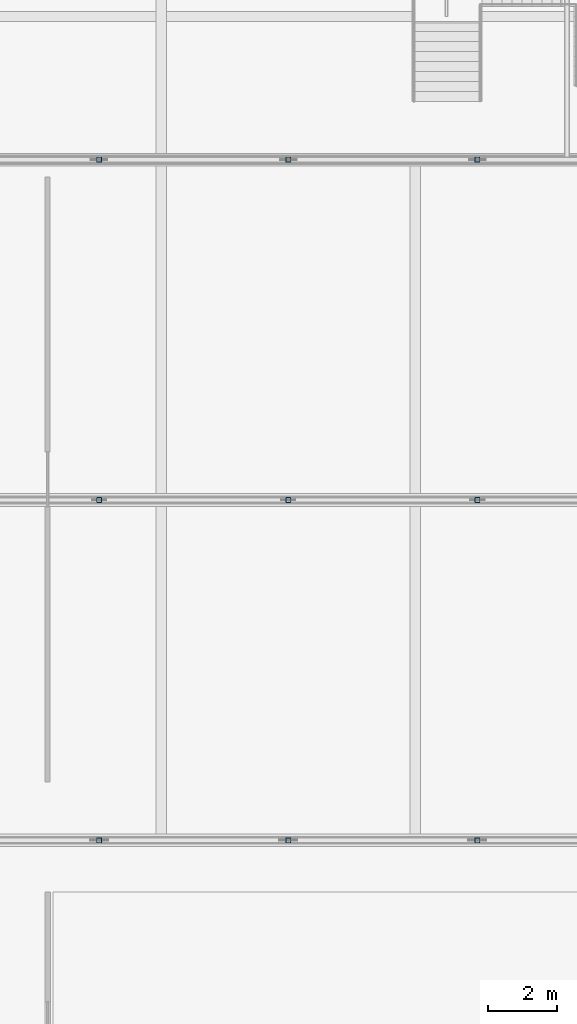
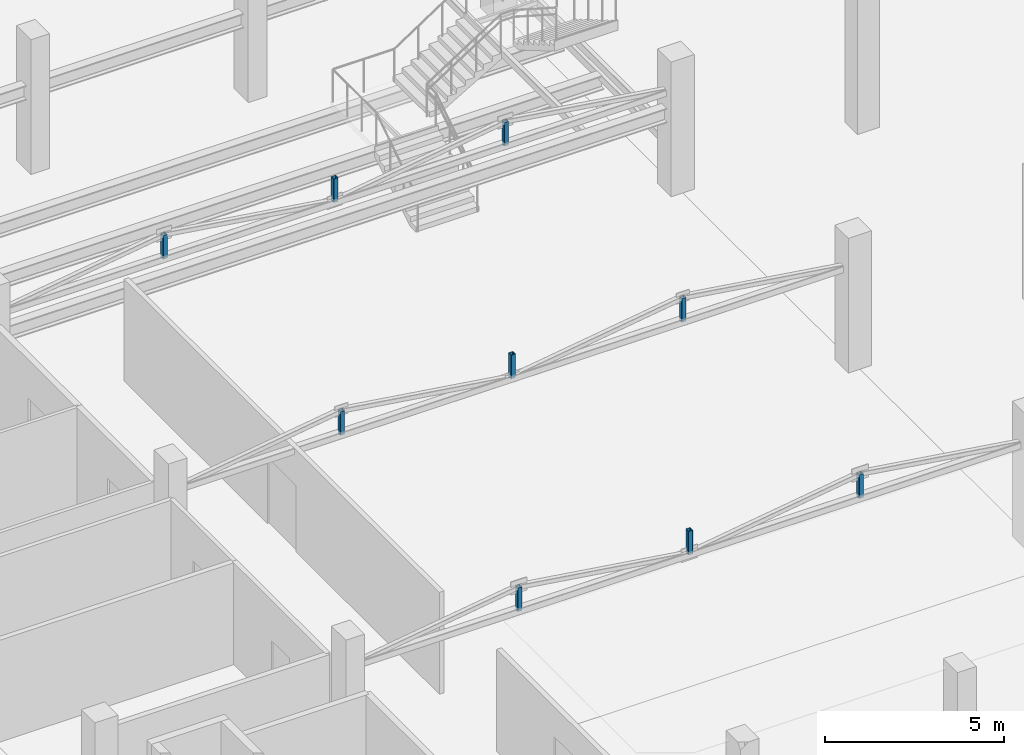
# One storey, part 32 of 49: 9 members.
"""IFC4 building model written with IfcOpenShell, lengths in metres."""

from ifc_helpers import new_model, si_unit, direction, frame, origin, origin_2d, place, context, subcontext, project, spatial, hollow_rectangle, extrude, material, material_profile, profile_set, type_object, element, save


model = new_model("IFC4")

# Units and contexts
model_context = context("Model", 3, precision=1e-05, world=origin(), true_north=direction((0.0, 1.0)))
body_context = subcontext(model_context, "Body", "Model", "MODEL_VIEW")
ifc_project = project(units=[si_unit("LENGTHUNIT", "METRE"), si_unit("AREAUNIT", "SQUARE_METRE"), si_unit("VOLUMEUNIT", "CUBIC_METRE"), si_unit("PLANEANGLEUNIT", "RADIAN"), si_unit("MASSUNIT", "GRAM", prefix="KILO")], contexts=[model_context])

# Site, building, storey
site_placement = place(None, origin())
site = spatial("IfcSite", under=ifc_project, at=site_placement, CompositionType="ELEMENT")
building_placement = place(site_placement, origin())
building = spatial("IfcBuilding", under=site, at=building_placement, Name="Sillaruma Civic Art Gallery", CompositionType="ELEMENT")
storey_placement = place(building_placement, frame((0.0, 0.0, 33.14990234375)))
storey = spatial("IfcBuildingStorey", under=building, at=storey_placement, Name="L06", CompositionType="ELEMENT", Elevation=33.14990234375)

# Members
ifc_material = material(Name="Structural Steel ASTM A500 Gr.C", Category="steel")
ifc_material_profile = material_profile(ifc_material, hollow_rectangle(XDim=0.14990234375, YDim=0.14990234375, WallThickness=0.010009765625, InnerFilletRadius=0.010009765625, OuterFilletRadius=0.02001953125, at=origin_2d()), Name="HSS150x150x10")
ifc_profile_set = profile_set([ifc_material_profile], Name="Structural Steel ASTM A500 Gr.C")
member_type = type_object("IfcMemberType", Name="MEM-POST-HSS150x150x10", PredefinedType="POST", material=ifc_profile_set)
for number, where, z_axis, x_axis, name in (
    (1, (75.5, 49.5, 3.360107421875), (0.0, 0.0, 1.0), (1.0, 0.0, 0.0), "Warren Truss Vertical Post TR-L06-1-V1"),
    (2, (81.0, 49.5, 3.360107421875), (0.0, 0.0, 1.0), (1.0, 0.0, 0.0), "Warren Truss Vertical Post TR-L06-1-V2"),
    (3, (86.5, 49.5, 3.360107421875), (0.0, 0.0, 1.0), (1.0, 0.0, 0.0), "Warren Truss Vertical Post TR-L06-1-V3"),
    (4, (75.5, 59.39990234375, 3.360107421875), (0.0, 0.0, 1.0), (1.0, 0.0, 0.0), "Warren Truss Vertical Post TR-L06-2-V1"),
    (5, (81.0, 59.39990234375, 3.360107421875), (0.0, 0.0, 1.0), (1.0, 0.0, 0.0), "Warren Truss Vertical Post TR-L06-2-V2"),
    (6, (86.5, 59.39990234375, 3.360107421875), (0.0, 0.0, 1.0), (1.0, 0.0, 0.0), "Warren Truss Vertical Post TR-L06-2-V3"),
    (7, (75.5, 69.300048828125, 3.360107421875), (0.0, 0.0, 1.0), (1.0, 0.0, 0.0), "Warren Truss Vertical Post TR-L06-3-V1"),
    (8, (81.0, 69.300048828125, 3.360107421875), (0.0, 0.0, 1.0), (1.0, 0.0, 0.0), "Warren Truss Vertical Post TR-L06-3-V2"),
    (9, (86.5, 69.300048828125, 3.360107421875), (0.0, 0.0, 1.0), (1.0, 0.0, 0.0), "Warren Truss Vertical Post TR-L06-3-V3"),
):
    element("IfcMember", number, at=place(storey_placement, frame(where, z_axis=z_axis, x_axis=x_axis)), inside=storey, type_object=member_type, Name=name, PredefinedType="POST", context=body_context, shape_type="SweptSolid", body=[
        extrude(hollow_rectangle(XDim=0.14990234375, YDim=0.14990234375, WallThickness=0.010009765625, InnerFilletRadius=0.010009765625, OuterFilletRadius=0.02001953125, at=origin_2d()), origin(), (0.0, 0.0, 1.0), 0.80810546875),
    ])

save(model, "model.ifc")
